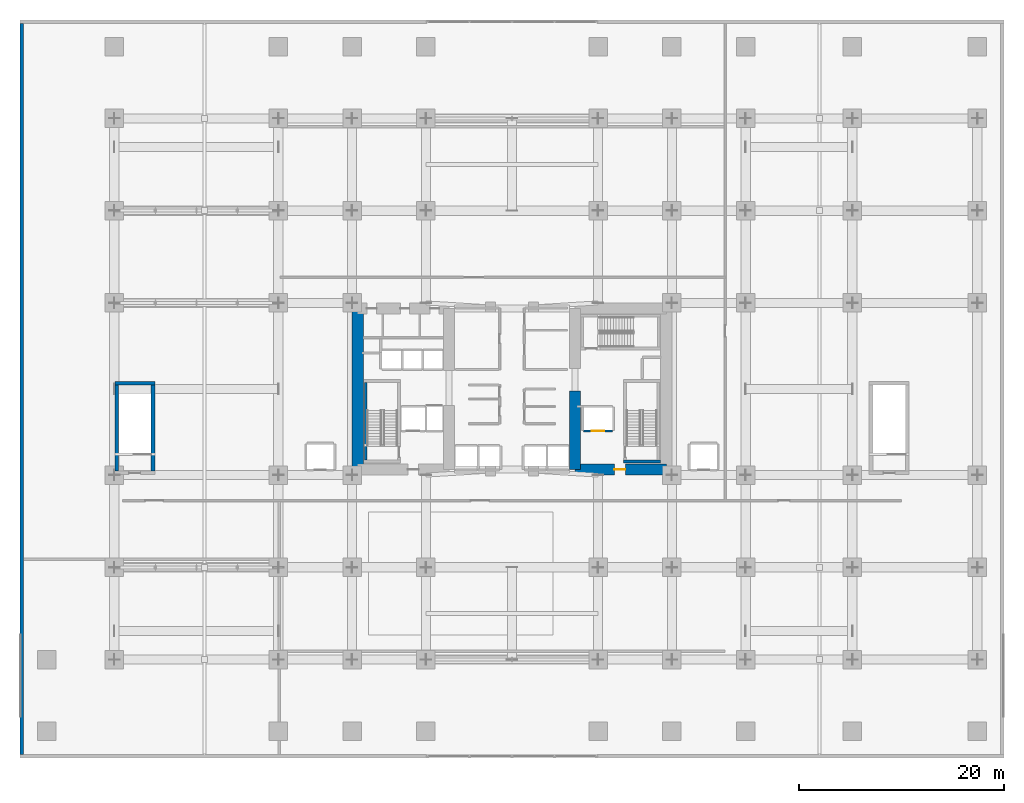
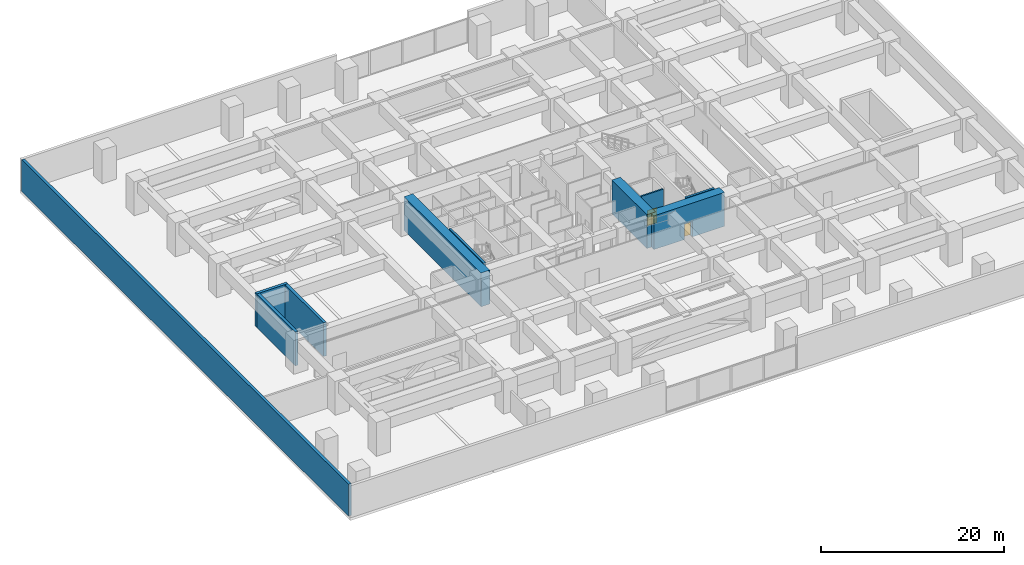
# One storey, part 16 of 25: 10 walls, 2 doors, 2 openings.
"""IFC4 building model written with IfcOpenShell, lengths in metres."""

from ifc_helpers import new_model, si_unit, direction, frame, frame_2d, origin, place, context, subcontext, project, spatial, rectangle, extrude, material, layer, layer_set, type_object, element, fill, save


model = new_model("IFC4")

# Units and contexts
model_context = context("Model", 3, precision=1e-05, world=origin(), true_north=direction((0.0, 1.0)))
body_context = subcontext(model_context, "Body", "Model", "MODEL_VIEW")
ifc_project = project(units=[si_unit("LENGTHUNIT", "METRE"), si_unit("AREAUNIT", "SQUARE_METRE"), si_unit("VOLUMEUNIT", "CUBIC_METRE"), si_unit("PLANEANGLEUNIT", "RADIAN"), si_unit("MASSUNIT", "GRAM", prefix="KILO")], contexts=[model_context])

# Site, building, storey
site_placement = place(None, origin())
site = spatial("IfcSite", under=ifc_project, at=site_placement, CompositionType="ELEMENT")
building_placement = place(site_placement, origin())
building = spatial("IfcBuilding", under=site, at=building_placement, Name="Kiyonajd Concourse Tower", CompositionType="ELEMENT")
storey_placement = place(building_placement, frame((0.0, 0.0, 17.10009765625)))
storey = spatial("IfcBuildingStorey", under=building, at=storey_placement, Name="L05", CompositionType="ELEMENT", Elevation=17.10009765625)

# Walls
ifc_material_1 = material(Name="Concrete C80/95", Category="concrete")
ifc_layer_1 = layer(ifc_material_1, 1.10009765625)
ifc_layer_set_1 = layer_set([ifc_layer_1], Name="Concrete C80/95")
wall_type_1 = type_object("IfcWallType", Name="WL-CORE-1100", PredefinedType="SHEAR", material=ifc_layer_set_1)
wall_1_placement = place(storey_placement, frame((32.949951171875, 27.60009765625, 0.0), z_axis=(0.0, 0.0, 1.0), x_axis=(0.0, 1.0, 0.0)))
element("IfcWall", 1, at=wall_1_placement, inside=storey, type_object=wall_type_1, Name="L05 West Core Outer Shear Wall", PredefinedType="SHEAR", context=body_context, shape_type="SweptSolid", body=[
    extrude(rectangle(XDim=16.7998046875, YDim=1.10009765625, at=frame_2d((8.39990234375, 0.0))), origin(), (0.0, 0.0, 1.0), 4.5),
])
wall_2_placement = place(storey_placement, frame((54.14990234375, 28.14990234375, 0.0), z_axis=(0.0, 0.0, 1.0), x_axis=(0.0, 1.0, 0.0)))
element("IfcWall", 2, at=wall_2_placement, inside=storey, type_object=wall_type_1, Name="L05 East Core Inner South Shear Wall", PredefinedType="SHEAR", context=body_context, shape_type="SweptSolid", body=[
    extrude(rectangle(XDim=7.650146484375, YDim=1.10009765625, at=frame_2d((3.8251953125, 0.0))), origin(), (0.0, 0.0, 1.0), 4.5),
])

# Wall, opening, door
wall_3_placement = place(storey_placement, frame((54.14990234375, 28.14990234375, 0.0), z_axis=(0.0, 0.0, 1.0), x_axis=(1.0, 0.0, 0.0)))
wall_3 = element("IfcWall", 3, at=wall_3_placement, inside=storey, type_object=wall_type_1, Name="L05 East Core South Shear Wall", PredefinedType="SHEAR", context=body_context, shape_type="SweptSolid", body=[
    extrude(rectangle(XDim=8.900146484375, YDim=1.10009765625, at=frame_2d((4.4501953125, 0.0))), origin(), (0.0, 0.0, 1.0), 4.5),
])
opening_1_placement = place(wall_3_placement, frame((3.85009765625, 0.0, 0.0)))
opening_1 = element("IfcOpeningElement", 4, at=opening_1_placement, cuts=wall_3, Name="Opening DF5", PredefinedType="OPENING", context=body_context, shape_type="SweptSolid", body=[
    extrude(rectangle(XDim=1.050048828125, YDim=2.0400390625, at=frame_2d((0.52490234375, 1.02001953125))), frame((0.0, 0.56005859375, 0.0), z_axis=(0.0, -1.0, 0.0), x_axis=(1.0, 0.0, 0.0)), (0.0, 0.0, 1.0), 1.1201171875),
])
ifc_material_2 = material(Name="Brushed Stainless Steel Cab Assembly", Category="steel")
door_type_1 = type_object("IfcDoorType", Name="DR-FD45-1050", OperationType="NOTDEFINED", PredefinedType="DOOR", material=ifc_material_2)
door_1_placement = place(opening_1_placement, origin())
door_1 = element("IfcDoor", 5, at=door_1_placement, inside=storey, type_object=door_type_1, Name="L05 Firefighting Lift Lobby E Smoke Door", OperationType="SINGLE_SWING_RIGHT", OverallHeight=2.0400390625, OverallWidth=1.050048828125, PredefinedType="DOOR", context=body_context, shape_type="SweptSolid", body=[
    extrude(rectangle(XDim=1.050048828125, YDim=2.0400390625, at=frame_2d((0.52490234375, 1.02001953125))), frame((0.0, 0.02490234375, 0.0), z_axis=(0.0, -1.0, 0.0), x_axis=(1.0, 0.0, 0.0)), (0.0, 0.0, 1.0), 0.050048828125),
])
fill(opening_1, door_1)

# Wall
ifc_material_3 = material(Name="Precast concrete C50/60", Category="concrete")
ifc_layer_2 = layer(ifc_material_3, 0.360107421875)
ifc_layer_set_2 = layer_set([ifc_layer_2], Name="Precast concrete C50/60")
wall_type_2 = type_object("IfcWallType", Name="WL-EXT-360", PredefinedType="SOLIDWALL", material=ifc_layer_set_2)
wall_4_placement = place(storey_placement, frame((0.179931640625, 0.360107421875, 0.0), z_axis=(0.0, 0.0, 1.0), x_axis=(0.0, 1.0, 0.0)))
element("IfcWall", 6, at=wall_4_placement, inside=storey, type_object=wall_type_2, Name="L05 West Podium Limestone Facade Wall", PredefinedType="SOLIDWALL", context=body_context, shape_type="SweptSolid", body=[
    extrude(rectangle(XDim=71.27978515625, YDim=0.360107421875, at=frame_2d((35.639892578125, 0.0))), origin(), (0.0, 0.0, 1.0), 4.239990234375),
])

# Wall, opening, door
ifc_material_4 = material(Name="Gypsum Board on Cold-Formed Steel Stud", Category="steel")
ifc_layer_3 = layer(ifc_material_4, 0.2099609375)
ifc_layer_set_3 = layer_set([ifc_layer_3], Name="Gypsum Board on Cold-Formed Steel Stud")
wall_type_3 = type_object("IfcWallType", Name="WL-SHAFT-210", PredefinedType="PARTITIONING", material=ifc_layer_set_3)
wall_5_placement = place(storey_placement, frame((55.0, 31.89990234375, 0.0), z_axis=(0.0, 0.0, 1.0), x_axis=(1.0, 0.0, 0.0)))
wall_5 = element("IfcWall", 7, at=wall_5_placement, inside=storey, type_object=wall_type_3, Name="L05 Shaft Enclosure Wall", PredefinedType="PARTITIONING", context=body_context, shape_type="SweptSolid", body=[
    extrude(rectangle(XDim=2.800048828125, YDim=0.2099609375, at=frame_2d((1.39990234375, 0.0))), origin(), (0.0, 0.0, 1.0), 4.239990234375),
])
opening_2_placement = place(wall_5_placement, frame((0.800048828125, 0.0, 0.0)))
opening_2 = element("IfcOpeningElement", 8, at=opening_2_placement, cuts=wall_5, Name="Opening LD2", PredefinedType="OPENING", context=body_context, shape_type="SweptSolid", body=[
    extrude(rectangle(XDim=1.199951171875, YDim=2.0400390625, at=frame_2d((0.60009765625, 1.02001953125))), frame((0.0, 0.114990234375, 0.0), z_axis=(0.0, -1.0, 0.0), x_axis=(1.0, 0.0, 0.0)), (0.0, 0.0, 1.0), 0.22998046875),
])
door_type_2 = type_object("IfcDoorType", Name="DR-LD-1200", OperationType="DOUBLE_DOOR_SLIDING", PredefinedType="DOOR", material=ifc_material_2)
door_2_placement = place(opening_2_placement, origin())
door_2 = element("IfcDoor", 9, at=door_2_placement, inside=storey, type_object=door_type_2, Name="L05 Lift FFL2 Sliding Landing Door", OperationType="DOUBLE_DOOR_SLIDING", OverallHeight=2.0400390625, OverallWidth=1.199951171875, PredefinedType="DOOR", context=body_context, shape_type="SweptSolid", body=[
    extrude(rectangle(XDim=1.199951171875, YDim=2.0400390625, at=frame_2d((0.60009765625, 1.02001953125))), frame((0.0, 0.02490234375, 0.0), z_axis=(0.0, -1.0, 0.0), x_axis=(1.0, 0.0, 0.0)), (0.0, 0.0, 1.0), 0.050048828125),
])
fill(opening_2, door_2)

# Walls
ifc_material_5 = material(Name="Concrete C50/60", Category="concrete")
ifc_layer_4 = layer(ifc_material_5, 0.260009765625)
ifc_layer_set_4 = layer_set([ifc_layer_4], Name="Concrete C50/60")
wall_type_4 = type_object("IfcWallType", Name="WL-STAIR-260", PredefinedType="SHEAR", material=ifc_layer_set_4)
wall_6_placement = place(storey_placement, frame((33.719970703125, 29.050048828125, 0.0), z_axis=(0.0, 0.0, 1.0), x_axis=(0.0, 1.0, 0.0)))
element("IfcWall", 10, at=wall_6_placement, inside=storey, type_object=wall_type_4, Name="L05 Stair ST1 Structural West Wall", PredefinedType="SHEAR", context=body_context, shape_type="SweptSolid", body=[
    extrude(rectangle(XDim=7.599853515625, YDim=0.260009765625, at=frame_2d((3.7998046875, 0.0))), origin(), (0.0, 0.0, 1.0), 4.5),
])
wall_7_placement = place(storey_placement, frame((58.889892578125, 28.919921875, 0.0), z_axis=(0.0, 0.0, 1.0), x_axis=(1.0, 0.0, 0.0)))
element("IfcWall", 11, at=wall_7_placement, inside=storey, type_object=wall_type_4, Name="L05 Stair ST2 Structural South Wall", PredefinedType="SHEAR", context=body_context, shape_type="SweptSolid", body=[
    extrude(rectangle(XDim=3.610107421875, YDim=0.260009765625, at=frame_2d((1.80517578125, 0.0))), origin(), (0.0, 0.0, 1.0), 4.5),
])
ifc_layer_5 = layer(ifc_material_5, 0.35009765625)
ifc_layer_set_5 = layer_set([ifc_layer_5], Name="Concrete C50/60")
wall_type_5 = type_object("IfcWallType", Name="WL-STAIR-350", PredefinedType="SHEAR", material=ifc_layer_set_5)
wall_8_placement = place(storey_placement, frame((9.25, 36.574951171875, 0.0), z_axis=(0.0, 0.0, 1.0), x_axis=(1.0, 0.0, 0.0)))
element("IfcWall", 12, at=wall_8_placement, inside=storey, type_object=wall_type_5, Name="L05 Stair ST4 Structural North Wall", PredefinedType="SHEAR", context=body_context, shape_type="SweptSolid", body=[
    extrude(rectangle(XDim=3.89990234375, YDim=0.35009765625, at=frame_2d((1.949951171875, 0.0))), origin(), (0.0, 0.0, 1.0), 4.5),
])
for number, where, z_axis, x_axis, name in (
    (13, (9.425048828125, 28.0, 0.0), (0.0, 0.0, 1.0), (0.0, 1.0, 0.0), "L05 Stair ST4 Structural West Wall"),
    (14, (12.97509765625, 28.0, 0.0), (0.0, 0.0, 1.0), (0.0, 1.0, 0.0), "L05 Stair ST4 Structural East Wall"),
):
    element("IfcWall", number, at=place(storey_placement, frame(where, z_axis=z_axis, x_axis=x_axis)), inside=storey, type_object=wall_type_5, Name=name, PredefinedType="SHEAR", context=body_context, shape_type="SweptSolid", body=[
        extrude(rectangle(XDim=8.39990234375, YDim=0.35009765625, at=frame_2d((4.199951171875, 0.0))), origin(), (0.0, 0.0, 1.0), 4.5),
    ])

save(model, "model.ifc")
